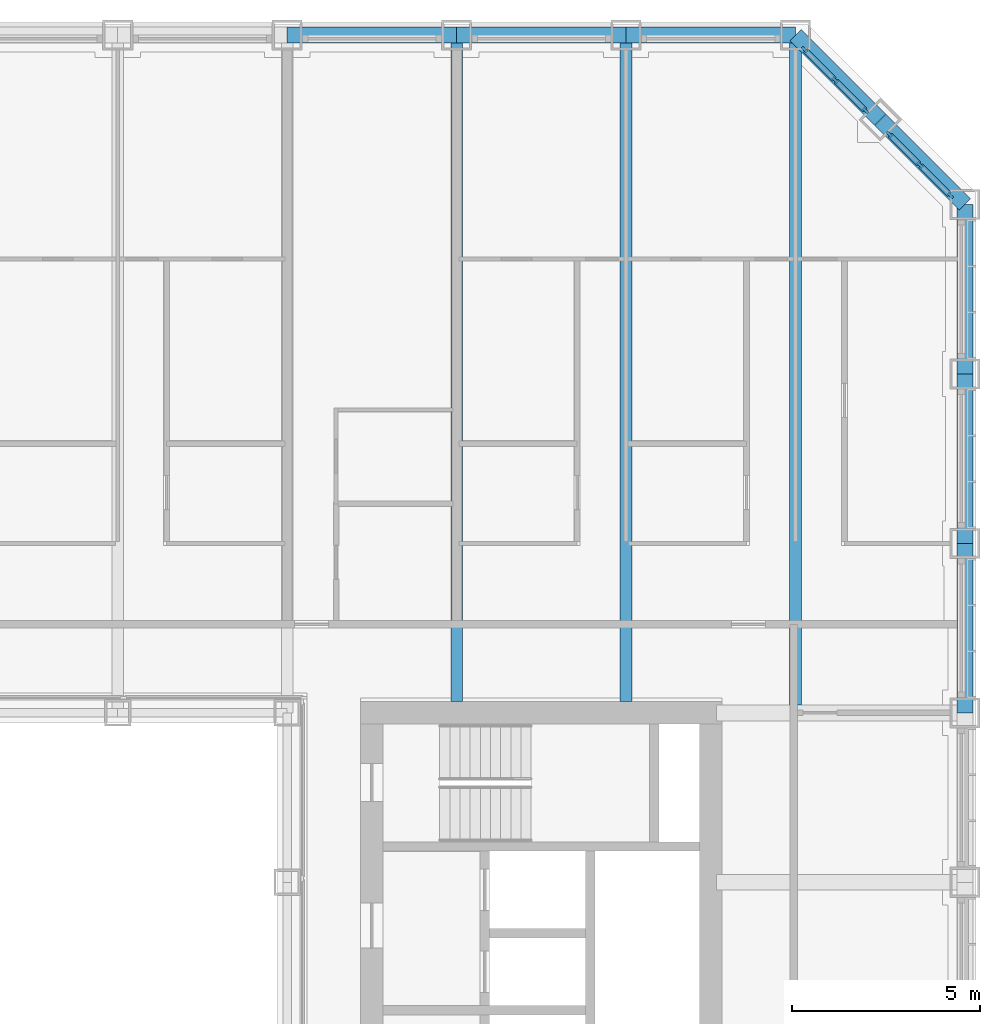
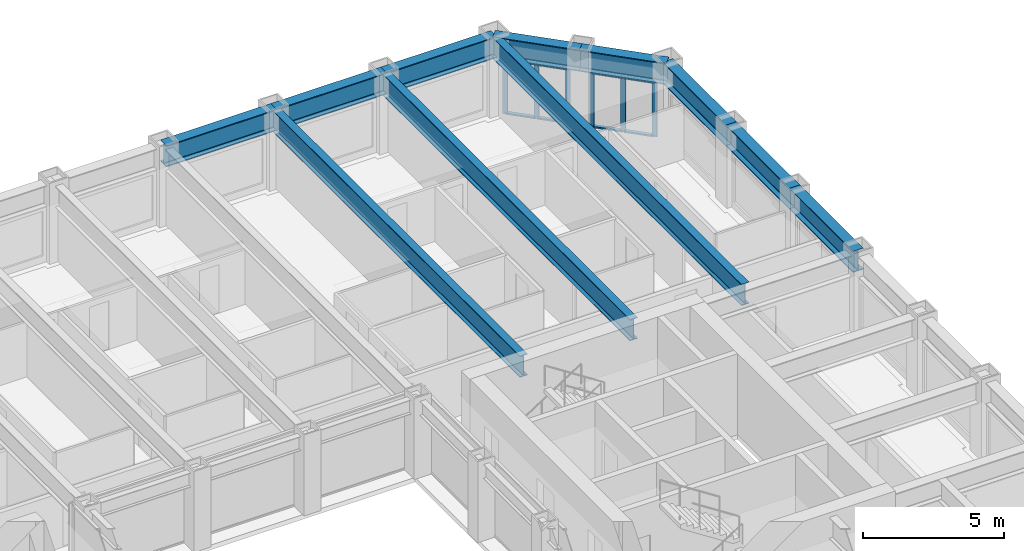
# One storey, part 7 of 20: 14 members, 11 beams, 2 elements without a shape of their own.
"""IFC4 building model written with IfcOpenShell, lengths in metres."""

from ifc_helpers import new_model, si_unit, direction, frame, origin, origin_2d, place, context, subcontext, project, spatial, rectangle, i_section, extrude, material, material_profile, profile_set, type_object, element, aggregate, save


model = new_model("IFC4")

# Units and contexts
model_context = context("Model", 3, precision=1e-05, world=origin(), true_north=direction((0.0, 1.0)))
body_context = subcontext(model_context, "Body", "Model", "MODEL_VIEW")
ifc_project = project(units=[si_unit("LENGTHUNIT", "METRE"), si_unit("AREAUNIT", "SQUARE_METRE"), si_unit("VOLUMEUNIT", "CUBIC_METRE"), si_unit("PLANEANGLEUNIT", "RADIAN"), si_unit("MASSUNIT", "GRAM", prefix="KILO")], contexts=[model_context])

# Site, building, storey
site_placement = place(None, origin())
site = spatial("IfcSite", under=ifc_project, at=site_placement, CompositionType="ELEMENT")
building_placement = place(site_placement, origin())
building = spatial("IfcBuilding", under=site, at=building_placement, Name="Msasa Ring Tower", CompositionType="ELEMENT")
storey_placement = place(building_placement, frame((0.0, 0.0, 65.0)))
storey = spatial("IfcBuildingStorey", under=building, at=storey_placement, Name="L16", CompositionType="ELEMENT", Elevation=65.0)

# Curtain wall, members
ifc_material_1 = material(Name="Aluminium curtain wall with clear glass", Category="aluminium")
curtain_wall_type = type_object("IfcCurtainWallType", Name="CW-C CHAMFER CORNER CURTAIN WALL", PredefinedType="NOTDEFINED", material=ifc_material_1)
curtain_wall_1_placement = place(storey_placement, origin())
curtain_wall_1 = element("IfcCurtainWall", 1, at=curtain_wall_1_placement, inside=storey, type_object=curtain_wall_type, Name="Chamfer corner curtain wall NE L16", PredefinedType="NOTDEFINED")
ifc_material_2 = material(Name="Aluminium mullion", Category="aluminium")
ifc_material_profile_1 = material_profile(ifc_material_2, rectangle(XDim=0.06494140625, YDim=0.179931640625, at=origin_2d()), Name="AL 65x180")
ifc_profile_set_1 = profile_set([ifc_material_profile_1], Name="Aluminium mullion")
member_type_1 = type_object("IfcMemberType", Name="CW-C MULLION 65x180", PredefinedType="MULLION", material=ifc_profile_set_1)
member_1_placement = place(storey_placement, frame((22.119873046875, 22.73876953125, 0.0), z_axis=(0.0, 0.0, 1.0), x_axis=(-0.707106781187, -0.707106781187, 0.0)))
member_1 = element("IfcMember", 2, at=member_1_placement, type_object=member_type_1, Name="CW-C mullion 1", PredefinedType="MULLION", context=body_context, shape_type="SweptSolid", body=[
    extrude(rectangle(XDim=0.06494140625, YDim=0.179931640625, at=origin_2d()), origin(), (0.0, 0.0, 1.0), 2.37890625),
])
member_2_placement = place(storey_placement, frame((21.30419921875, 23.55419921875, 0.0), z_axis=(0.0, 0.0, 1.0), x_axis=(-0.707106781187, -0.707106781187, 0.0)))
member_2 = element("IfcMember", 3, at=member_2_placement, type_object=member_type_1, Name="CW-C mullion 2", PredefinedType="MULLION", context=body_context, shape_type="SweptSolid", body=[
    extrude(rectangle(XDim=0.06494140625, YDim=0.179931640625, at=origin_2d()), origin(), (0.0, 0.0, 1.0), 2.37890625),
])
member_3_placement = place(storey_placement, frame((20.48876953125, 24.369873046875, 0.0), z_axis=(0.0, 0.0, 1.0), x_axis=(-0.707106781187, -0.707106781187, 0.0)))
member_3 = element("IfcMember", 4, at=member_3_placement, type_object=member_type_1, Name="CW-C mullion 3", PredefinedType="MULLION", context=body_context, shape_type="SweptSolid", body=[
    extrude(rectangle(XDim=0.06494140625, YDim=0.179931640625, at=origin_2d()), origin(), (0.0, 0.0, 1.0), 2.37890625),
])

curtain_wall_2_placement = place(storey_placement, origin())
curtain_wall_2 = element("IfcCurtainWall", 5, at=curtain_wall_2_placement, inside=storey, type_object=curtain_wall_type, Name="Chamfer corner curtain wall NE L16", PredefinedType="NOTDEFINED")
member_4_placement = place(storey_placement, frame((24.369873046875, 20.48876953125, 0.0), z_axis=(0.0, 0.0, 1.0), x_axis=(-0.707106781187, -0.707106781187, 0.0)))
member_4 = element("IfcMember", 6, at=member_4_placement, type_object=member_type_1, Name="CW-C mullion 1", PredefinedType="MULLION", context=body_context, shape_type="SweptSolid", body=[
    extrude(rectangle(XDim=0.06494140625, YDim=0.179931640625, at=origin_2d()), origin(), (0.0, 0.0, 1.0), 2.37890625),
])
member_5_placement = place(storey_placement, frame((23.55419921875, 21.30419921875, 0.0), z_axis=(0.0, 0.0, 1.0), x_axis=(-0.707106781187, -0.707106781187, 0.0)))
member_5 = element("IfcMember", 7, at=member_5_placement, type_object=member_type_1, Name="CW-C mullion 2", PredefinedType="MULLION", context=body_context, shape_type="SweptSolid", body=[
    extrude(rectangle(XDim=0.06494140625, YDim=0.179931640625, at=origin_2d()), origin(), (0.0, 0.0, 1.0), 2.37890625),
])
member_6_placement = place(storey_placement, frame((22.73876953125, 22.119873046875, 0.0), z_axis=(0.0, 0.0, 1.0), x_axis=(-0.707106781187, -0.707106781187, 0.0)))
member_6 = element("IfcMember", 8, at=member_6_placement, type_object=member_type_1, Name="CW-C mullion 3", PredefinedType="MULLION", context=body_context, shape_type="SweptSolid", body=[
    extrude(rectangle(XDim=0.06494140625, YDim=0.179931640625, at=origin_2d()), origin(), (0.0, 0.0, 1.0), 2.37890625),
])

# Member
ifc_material_3 = material(Name="Aluminium transom", Category="aluminium")
ifc_material_profile_2 = material_profile(ifc_material_3, rectangle(XDim=0.139892578125, YDim=0.06494140625, at=origin_2d()), Name="AL 65x140")
ifc_profile_set_2 = profile_set([ifc_material_profile_2], Name="Aluminium transom")
member_type_2 = type_object("IfcMemberType", Name="CW-C TRANSOM 65x140", PredefinedType="USERDEFINED", material=ifc_profile_set_2)
member_7_placement = place(storey_placement, frame((22.096923828125, 22.76171875, 0.032470703125), z_axis=(-0.707106781187, 0.707106781187, 0.0), x_axis=(-0.707106781187, -0.707106781187, 0.0)))
member_7 = element("IfcMember", 9, at=member_7_placement, type_object=member_type_2, Name="CW-C transom 1.1", ObjectType="TRANSOM", PredefinedType="USERDEFINED", context=body_context, shape_type="SweptSolid", body=[
    extrude(rectangle(XDim=0.139892578125, YDim=0.06494140625, at=origin_2d()), origin(), (0.0, 0.0, 1.0), 1.08837890625),
])

member_8_placement = place(storey_placement, frame((22.096923828125, 22.76171875, 2.346435546875), z_axis=(-0.707106781187, 0.707106781187, 0.0), x_axis=(-0.707106781187, -0.707106781187, 0.0)))
member_8 = element("IfcMember", 10, at=member_8_placement, type_object=member_type_2, Name="CW-C transom 1.2", ObjectType="TRANSOM", PredefinedType="USERDEFINED", context=body_context, shape_type="SweptSolid", body=[
    extrude(rectangle(XDim=0.139892578125, YDim=0.06494140625, at=origin_2d()), origin(), (0.0, 0.0, 1.0), 1.08837890625),
])

member_9_placement = place(storey_placement, frame((21.28125, 23.577392578125, 0.032470703125), z_axis=(-0.707106781187, 0.707106781187, 0.0), x_axis=(-0.707106781187, -0.707106781187, 0.0)))
member_9 = element("IfcMember", 11, at=member_9_placement, type_object=member_type_2, Name="CW-C transom 2.1", ObjectType="TRANSOM", PredefinedType="USERDEFINED", context=body_context, shape_type="SweptSolid", body=[
    extrude(rectangle(XDim=0.139892578125, YDim=0.06494140625, at=origin_2d()), origin(), (0.0, 0.0, 1.0), 1.08837890625),
])

member_10_placement = place(storey_placement, frame((21.28125, 23.577392578125, 2.346435546875), z_axis=(-0.707106781187, 0.707106781187, 0.0), x_axis=(-0.707106781187, -0.707106781187, 0.0)))
member_10 = element("IfcMember", 12, at=member_10_placement, type_object=member_type_2, Name="CW-C transom 2.2", ObjectType="TRANSOM", PredefinedType="USERDEFINED", context=body_context, shape_type="SweptSolid", body=[
    extrude(rectangle(XDim=0.139892578125, YDim=0.06494140625, at=origin_2d()), origin(), (0.0, 0.0, 1.0), 1.08837890625),
])

aggregate(curtain_wall_1, [member_1, member_2, member_3, member_7, member_8, member_9, member_10])

member_11_placement = place(storey_placement, frame((24.346923828125, 20.51171875, 0.032470703125), z_axis=(-0.707106781187, 0.707106781187, 0.0), x_axis=(-0.707106781187, -0.707106781187, 0.0)))
member_11 = element("IfcMember", 13, at=member_11_placement, type_object=member_type_2, Name="CW-C transom 1.1", ObjectType="TRANSOM", PredefinedType="USERDEFINED", context=body_context, shape_type="SweptSolid", body=[
    extrude(rectangle(XDim=0.139892578125, YDim=0.06494140625, at=origin_2d()), origin(), (0.0, 0.0, 1.0), 1.08837890625),
])

member_12_placement = place(storey_placement, frame((24.346923828125, 20.51171875, 2.346435546875), z_axis=(-0.707106781187, 0.707106781187, 0.0), x_axis=(-0.707106781187, -0.707106781187, 0.0)))
member_12 = element("IfcMember", 14, at=member_12_placement, type_object=member_type_2, Name="CW-C transom 1.2", ObjectType="TRANSOM", PredefinedType="USERDEFINED", context=body_context, shape_type="SweptSolid", body=[
    extrude(rectangle(XDim=0.139892578125, YDim=0.06494140625, at=origin_2d()), origin(), (0.0, 0.0, 1.0), 1.08837890625),
])

member_13_placement = place(storey_placement, frame((23.53125, 21.327392578125, 0.032470703125), z_axis=(-0.707106781187, 0.707106781187, 0.0), x_axis=(-0.707106781187, -0.707106781187, 0.0)))
member_13 = element("IfcMember", 15, at=member_13_placement, type_object=member_type_2, Name="CW-C transom 2.1", ObjectType="TRANSOM", PredefinedType="USERDEFINED", context=body_context, shape_type="SweptSolid", body=[
    extrude(rectangle(XDim=0.139892578125, YDim=0.06494140625, at=origin_2d()), origin(), (0.0, 0.0, 1.0), 1.08837890625),
])

member_14_placement = place(storey_placement, frame((23.53125, 21.327392578125, 2.346435546875), z_axis=(-0.707106781187, 0.707106781187, 0.0), x_axis=(-0.707106781187, -0.707106781187, 0.0)))
member_14 = element("IfcMember", 16, at=member_14_placement, type_object=member_type_2, Name="CW-C transom 2.2", ObjectType="TRANSOM", PredefinedType="USERDEFINED", context=body_context, shape_type="SweptSolid", body=[
    extrude(rectangle(XDim=0.139892578125, YDim=0.06494140625, at=origin_2d()), origin(), (0.0, 0.0, 1.0), 1.08837890625),
])

aggregate(curtain_wall_2, [member_4, member_5, member_6, member_11, member_12, member_13, member_14])

# Beams
ifc_material_4 = material(Name="Steel S355", Category="steel")
ifc_material_profile_3 = material_profile(ifc_material_4, i_section(OverallWidth=0.3076171875, OverallDepth=0.926513671875, WebThickness=0.01953125, FlangeThickness=0.031982421875, FilletRadius=0.01904296875, at=origin_2d()), Name="UB 914x305x289")
ifc_profile_set_3 = profile_set([ifc_material_profile_3], Name="Steel S355")
beam_type_1 = type_object("IfcBeamType", Name="FB3 UB 914x305x289", PredefinedType="BEAM", material=ifc_profile_set_3)
for number, where, z_axis, x_axis, name in (
    (17, (11.25, 24.75, 2.836669921875), (0.0, -1.0, 0.0), (1.0, 0.0, 0.0), "Floor beam N+11.25 under L17"),
    (18, (15.75, 24.75, 2.836669921875), (0.0, -1.0, 0.0), (1.0, 0.0, 0.0), "Floor beam N+15.75 under L17"),
):
    element("IfcBeam", number, at=place(storey_placement, frame(where, z_axis=z_axis, x_axis=x_axis)), inside=storey, type_object=beam_type_1, Name=name, PredefinedType="BEAM", context=body_context, shape_type="SweptSolid", body=[
        extrude(i_section(OverallWidth=0.3076171875, OverallDepth=0.926513671875, WebThickness=0.01953125, FlangeThickness=0.031982421875, FilletRadius=0.01904296875, at=origin_2d()), origin(), (0.0, 0.0, 1.0), 17.699951171875),
    ])
beam_placement = place(storey_placement, frame((20.25, 24.75, 2.836669921875), z_axis=(0.0, -1.0, 0.0), x_axis=(1.0, 0.0, 0.0)))
element("IfcBeam", 19, at=beam_placement, inside=storey, type_object=beam_type_1, Name="Floor beam N+20.25 under L17", PredefinedType="BEAM", context=body_context, shape_type="SweptSolid", body=[
    extrude(i_section(OverallWidth=0.3076171875, OverallDepth=0.926513671875, WebThickness=0.01953125, FlangeThickness=0.031982421875, FilletRadius=0.01904296875, at=origin_2d()), origin(), (0.0, 0.0, 1.0), 17.789794921875),
])
ifc_material_5 = material(Name="Steel S355", Category="steel")
ifc_material_profile_4 = material_profile(ifc_material_5, i_section(OverallWidth=0.42041015625, OverallDepth=0.9208984375, WebThickness=0.021484375, FlangeThickness=0.03662109375, FilletRadius=0.024169921875, at=origin_2d()), Name="UB 914x419x388")
ifc_profile_set_4 = profile_set([ifc_material_profile_4], Name="Steel S355")
beam_type_2 = type_object("IfcBeamType", Name="SB1 UB 914x419x388", PredefinedType="SPANDREL", material=ifc_profile_set_4)
for number, where, z_axis, x_axis, name in (
    (20, (24.75, 6.75, 2.839599609375), (0.0, 1.0, 0.0), (-1.0, 0.0, 0.0), "Spandrel E+6.75 to E+11.25 under L17"),
    (21, (24.75, 11.25, 2.839599609375), (0.0, 1.0, 0.0), (-1.0, 0.0, 0.0), "Spandrel E+11.25 to E+15.75 under L17"),
    (22, (24.75, 15.75, 2.839599609375), (0.0, 1.0, 0.0), (-1.0, 0.0, 0.0), "Spandrel E+15.75 to E+20.25 under L17"),
):
    element("IfcBeam", number, at=place(storey_placement, frame(where, z_axis=z_axis, x_axis=x_axis)), inside=storey, type_object=beam_type_2, Name=name, PredefinedType="SPANDREL", context=body_context, shape_type="SweptSolid", body=[
        extrude(i_section(OverallWidth=0.42041015625, OverallDepth=0.9208984375, WebThickness=0.021484375, FlangeThickness=0.03662109375, FilletRadius=0.024169921875, at=origin_2d()), origin(), (0.0, 0.0, 1.0), 4.5),
    ])
for number, where, z_axis, x_axis, name in (
    (23, (24.75, 20.25, 2.839599609375), (-0.707106781187, 0.707106781187, 0.0), (-0.707106781187, -0.707106781187, 0.0), "Spandrel E+20.25 to NE under L17"),
    (24, (22.5, 22.5, 2.839599609375), (-0.707106781187, 0.707106781187, 0.0), (-0.707106781187, -0.707106781187, 0.0), "Spandrel NE to N+20.25 under L17"),
):
    element("IfcBeam", number, at=place(storey_placement, frame(where, z_axis=z_axis, x_axis=x_axis)), inside=storey, type_object=beam_type_2, Name=name, PredefinedType="SPANDREL", context=body_context, shape_type="SweptSolid", body=[
        extrude(i_section(OverallWidth=0.42041015625, OverallDepth=0.9208984375, WebThickness=0.021484375, FlangeThickness=0.03662109375, FilletRadius=0.024169921875, at=origin_2d()), origin(), (0.0, 0.0, 1.0), 3.181884765625),
    ])
for number, where, z_axis, x_axis, name in (
    (25, (20.25, 24.75, 2.839599609375), (-1.0, 0.0, 0.0), (0.0, -1.0, 0.0), "Spandrel N+20.25 to N+15.75 under L17"),
    (26, (15.75, 24.75, 2.839599609375), (-1.0, 0.0, 0.0), (0.0, -1.0, 0.0), "Spandrel N+15.75 to N+11.25 under L17"),
    (27, (11.25, 24.75, 2.839599609375), (-1.0, 0.0, 0.0), (0.0, -1.0, 0.0), "Spandrel N+11.25 to N+6.75 under L17"),
):
    element("IfcBeam", number, at=place(storey_placement, frame(where, z_axis=z_axis, x_axis=x_axis)), inside=storey, type_object=beam_type_2, Name=name, PredefinedType="SPANDREL", context=body_context, shape_type="SweptSolid", body=[
        extrude(i_section(OverallWidth=0.42041015625, OverallDepth=0.9208984375, WebThickness=0.021484375, FlangeThickness=0.03662109375, FilletRadius=0.024169921875, at=origin_2d()), origin(), (0.0, 0.0, 1.0), 4.5),
    ])

save(model, "model.ifc")
